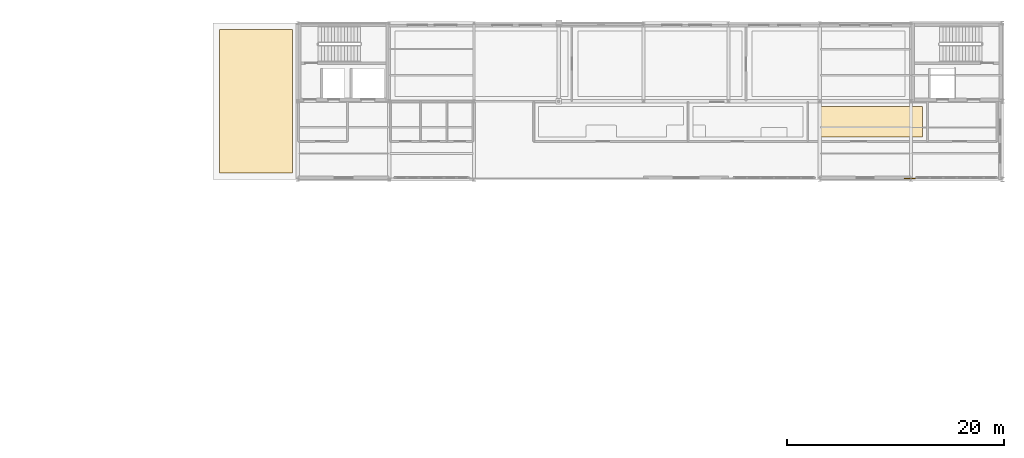
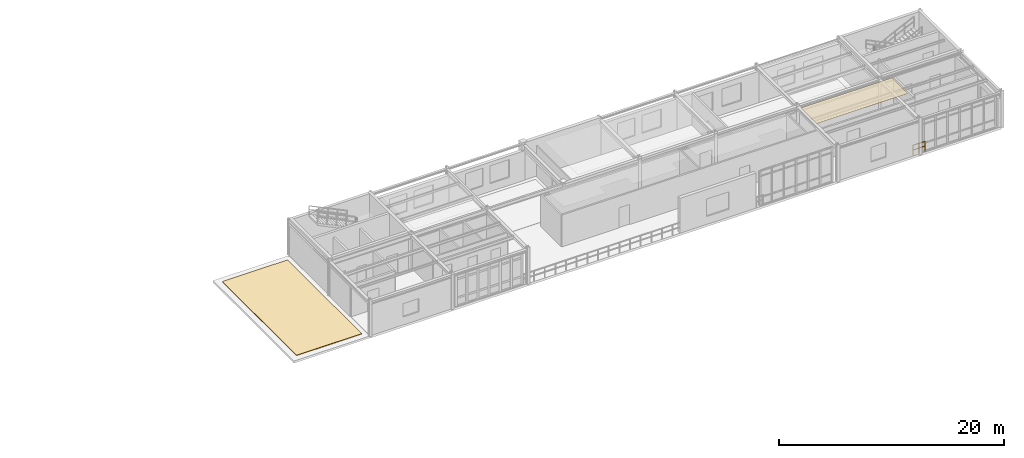
# One storey, part 18 of 20: 2 coverings, 1 railing.
"""IFC4 building model written with IfcOpenShell, lengths in metres."""

from ifc_helpers import new_model, si_unit, derived_unit, direction, frame, origin, origin_2d, place, context, subcontext, project, spatial, polyline, circle, outline, extrude, material, layer, layer_set, type_object, element, save


model = new_model("IFC4")

# Units and contexts
model_context = context("Model", 3, precision=1e-05, world=origin(), true_north=direction((0.0, 1.0)))
body_context = subcontext(model_context, "Body", "Model", "MODEL_VIEW")
ifc_project = project(units=[si_unit("LENGTHUNIT", "METRE"), si_unit("AREAUNIT", "SQUARE_METRE"), si_unit("VOLUMEUNIT", "CUBIC_METRE"), si_unit("PLANEANGLEUNIT", "RADIAN"), si_unit("MASSUNIT", "GRAM", prefix="KILO"), derived_unit("THERMALTRANSMITTANCEUNIT", [(si_unit("POWERUNIT", "WATT"), 1), (si_unit("AREAUNIT", "SQUARE_METRE"), -1), (si_unit("THERMODYNAMICTEMPERATUREUNIT", "KELVIN"), -1)])], contexts=[model_context])

# Site, building, storey
site_placement = place(None, origin())
site = spatial("IfcSite", under=ifc_project, at=site_placement, CompositionType="ELEMENT")
building_placement = place(site_placement, origin())
building = spatial("IfcBuilding", under=site, at=building_placement, Name="Yasenodar Specialist Clinic", CompositionType="ELEMENT")
storey_placement = place(building_placement, frame((0.0, 0.0, 25.35009765625)))
storey = spatial("IfcBuildingStorey", under=building, at=storey_placement, Name="L06", CompositionType="ELEMENT", Elevation=25.35009765625)

# Coverings
ifc_material_1 = material(Name="Hygienic Acoustic Mineral-Fibre Ceiling")
ifc_layer_1 = layer(ifc_material_1, 0.02490234375)
ifc_layer_set_1 = layer_set([ifc_layer_1], Name="Hygienic Acoustic Mineral-Fibre Ceiling")
covering_type_1 = type_object("IfcCoveringType", Name="COV-CEIL-AC", PredefinedType="CEILING", material=ifc_layer_set_1)
covering_1_placement = place(storey_placement, frame((0.0, 0.0, 3.784912109375)))
element("IfcCovering", 1, at=covering_1_placement, inside=storey, type_object=covering_type_1, Name="L06 Clean Instrument Utility Store Acoustic Ceiling", PredefinedType="CEILING", context=body_context, shape_type="SweptSolid", body=[
    extrude(outline(polyline([(114.449951171875, 103.929931640625), (114.449951171875, 101.1298828125), (105.10009765625, 101.1298828125), (105.10009765625, 103.929931640625), (114.449951171875, 103.929931640625)])), origin(), (0.0, 0.0, 1.0), 0.02490234375),
])
ifc_material_2 = material(Name="Standing-Seam Pre-Weathered Zinc Roofing")
ifc_layer_2 = layer(ifc_material_2, 0.06005859375)
ifc_layer_set_2 = layer_set([ifc_layer_2], Name="Standing-Seam Pre-Weathered Zinc Roofing")
covering_type_2 = type_object("IfcCoveringType", Name="COV-ROOF-ZINC", PredefinedType="ROOFING", material=ifc_layer_set_2)
covering_2_placement = place(storey_placement, origin())
element("IfcCovering", 2, at=covering_2_placement, inside=storey, type_object=covering_type_2, Name="V5 West Shoulder Zinc Roof Covering", PredefinedType="ROOFING", context=body_context, shape_type="SweptSolid", body=[
    extrude(outline(polyline([(49.800048828125, 97.800048828125), (56.5, 97.800048828125), (56.5, 111.0), (49.800048828125, 111.0), (49.800048828125, 97.800048828125)])), origin(), (0.0, 0.0, 1.0), 0.059814453125),
])

# Railing
ifc_material_3 = material(Name="Steel S355 Painted Guardrail", Category="steel")
railing_type = type_object("IfcRailingType", Name="RL-GRD-1120", PredefinedType="GUARDRAIL", material=ifc_material_3)
railing_placement = place(storey_placement, frame((112.800048828125, 97.300048828125, 0.0)))
element("IfcRailing", 3, at=railing_placement, inside=storey, type_object=railing_type, Name="L06 V5 South Edge Guardrail Far-East", PredefinedType="GUARDRAIL", context=body_context, shape_type="SweptSolid", body=[
    extrude(circle(Radius=0.02392578125, at=origin_2d()), frame((0.0, 0.0, 1.09619140625), z_axis=(1.0, 0.0, 0.0), x_axis=(0.0, 1.0, 0.0)), (0.0, 0.0, 1.0), 1.199951171875),
    extrude(circle(Radius=0.02392578125, at=origin_2d()), frame((0.0, 0.0, 0.58251953125), z_axis=(1.0, 0.0, 0.0), x_axis=(0.0, 1.0, 0.0)), (0.0, 0.0, 1.0), 1.199951171875),
    extrude(circle(Radius=0.02099609375, at=origin_2d()), origin(), (0.0, 0.0, 1.0), 1.072021484375),
    extrude(circle(Radius=0.02099609375, at=origin_2d()), frame((0.60009765625, 0.0, 0.0)), (0.0, 0.0, 1.0), 1.072021484375),
    extrude(circle(Radius=0.02099609375, at=origin_2d()), frame((1.199951171875, 0.0, 0.0)), (0.0, 0.0, 1.0), 1.072021484375),
])

save(model, "model.ifc")
